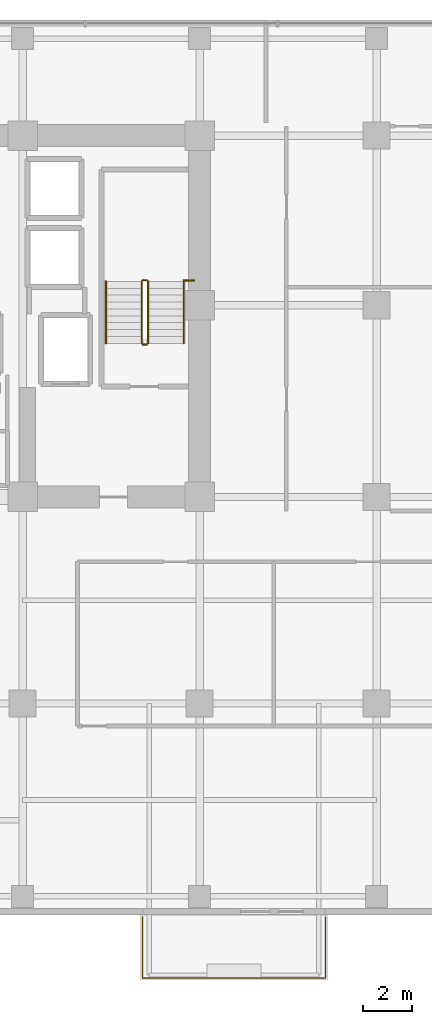
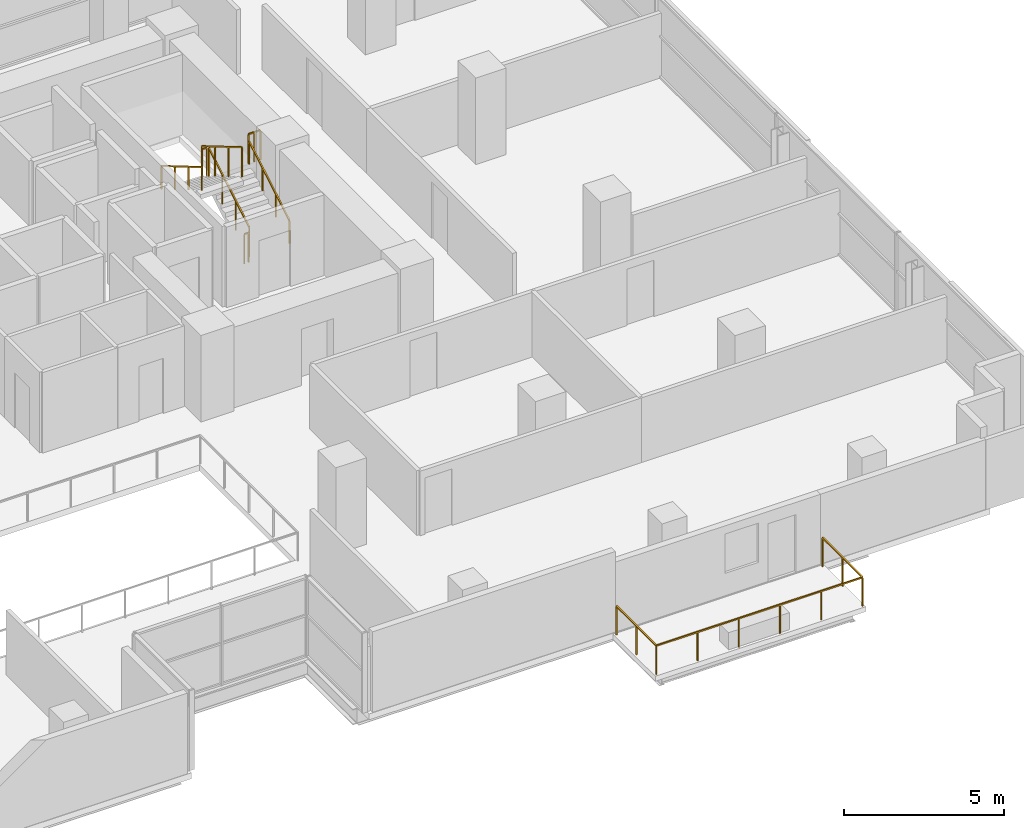
# One storey, part 29 of 30: 8 railings.
"""IFC4 building model written with IfcOpenShell, lengths in metres."""

from ifc_helpers import new_model, si_unit, direction, frame, origin, origin_2d, place, context, subcontext, project, spatial, rectangle, extrude, material, type_object, element, save


model = new_model("IFC4")

# Units and contexts
model_context = context("Model", 3, precision=1e-05, world=origin(), true_north=direction((0.0, 1.0)))
body_context = subcontext(model_context, "Body", "Model", "MODEL_VIEW")
ifc_project = project(units=[si_unit("LENGTHUNIT", "METRE"), si_unit("AREAUNIT", "SQUARE_METRE"), si_unit("VOLUMEUNIT", "CUBIC_METRE"), si_unit("PLANEANGLEUNIT", "RADIAN"), si_unit("MASSUNIT", "GRAM", prefix="KILO")], contexts=[model_context])

# Site, building, storey
site_placement = place(None, origin())
site = spatial("IfcSite", under=ifc_project, at=site_placement, CompositionType="ELEMENT")
building_placement = place(site_placement, origin())
building = spatial("IfcBuilding", under=site, at=building_placement, Name="Zarnakvel Exchange Tower", CompositionType="ELEMENT")
storey_placement = place(building_placement, frame((0.0, 0.0, 34.0)))
storey = spatial("IfcBuildingStorey", under=building, at=storey_placement, Name="L08", CompositionType="ELEMENT", Elevation=34.0)

# Railings
ifc_material_1 = material(Name="Architectural Bronze Anodised Aluminium", Category="aluminium")
railing_type_1 = type_object("IfcRailingType", Name="GR-02", PredefinedType="GUARDRAIL", material=ifc_material_1)
railing_1_placement = place(storey_placement, frame((12.080078125, -18.280029296875, -0.034912109375)))
element("IfcRailing", 1, at=railing_1_placement, inside=storey, type_object=railing_type_1, Name="L08 Balcony Guardrail BAL-L08-SE", PredefinedType="GUARDRAIL", context=body_context, shape_type="SweptSolid", body=[
    extrude(rectangle(XDim=0.048095703125, YDim=0.048095703125, at=origin_2d()), frame((0.0, 0.0, 1.09619140625), z_axis=(0.0, -1.0, 0.0), x_axis=(1.0, 0.0, 0.0)), (0.0, 0.0, 1.0), 2.489990234375),
    extrude(rectangle(XDim=0.048095703125, YDim=0.048095703125, at=origin_2d()), frame((0.0, -2.489990234375, 1.09619140625), z_axis=(1.0, 0.0, 0.0), x_axis=(0.0, 1.0, 0.0)), (0.0, 0.0, 1.0), 7.43994140625),
    extrude(rectangle(XDim=0.048095703125, YDim=0.048095703125, at=origin_2d()), frame((7.43994140625, -2.489990234375, 1.09619140625), z_axis=(0.0, 1.0, 0.0), x_axis=(-1.0, 0.0, 0.0)), (0.0, 0.0, 1.0), 2.489990234375),
    extrude(rectangle(XDim=0.0419921875, YDim=0.0419921875, at=origin_2d()), origin(), (0.0, 0.0, 1.0), 1.072021484375),
    extrude(rectangle(XDim=0.0419921875, YDim=0.0419921875, at=origin_2d()), frame((0.0, -1.2451171875, 0.0)), (0.0, 0.0, 1.0), 1.072021484375),
    extrude(rectangle(XDim=0.0419921875, YDim=0.0419921875, at=origin_2d()), frame((0.0, -2.489990234375, 0.0)), (0.0, 0.0, 1.0), 1.072021484375),
    extrude(rectangle(XDim=0.0419921875, YDim=0.0419921875, at=origin_2d()), frame((1.488037109375, -2.489990234375, 0.0)), (0.0, 0.0, 1.0), 1.072021484375),
    extrude(rectangle(XDim=0.0419921875, YDim=0.0419921875, at=origin_2d()), frame((2.97607421875, -2.489990234375, 0.0)), (0.0, 0.0, 1.0), 1.072021484375),
    extrude(rectangle(XDim=0.0419921875, YDim=0.0419921875, at=origin_2d()), frame((4.4638671875, -2.489990234375, 0.0)), (0.0, 0.0, 1.0), 1.072021484375),
    extrude(rectangle(XDim=0.0419921875, YDim=0.0419921875, at=origin_2d()), frame((5.951904296875, -2.489990234375, 0.0)), (0.0, 0.0, 1.0), 1.072021484375),
    extrude(rectangle(XDim=0.0419921875, YDim=0.0419921875, at=origin_2d()), frame((7.43994140625, -2.489990234375, 0.0)), (0.0, 0.0, 1.0), 1.072021484375),
    extrude(rectangle(XDim=0.0419921875, YDim=0.0419921875, at=origin_2d()), frame((7.43994140625, -1.2451171875, 0.0)), (0.0, 0.0, 1.0), 1.072021484375),
    extrude(rectangle(XDim=0.0419921875, YDim=0.0419921875, at=origin_2d()), frame((7.43994140625, 0.0, 0.0)), (0.0, 0.0, 1.0), 1.072021484375),
])
ifc_material_2 = material(Name="Brushed Stainless Steel", Category="steel")
railing_type_2 = type_object("IfcRailingType", Name="HR-01", PredefinedType="HANDRAIL", material=ifc_material_2)
railing_2_placement = place(storey_placement, frame((13.75, 5.050048828125, 0.1650390625)))
element("IfcRailing", 2, at=railing_2_placement, inside=storey, type_object=railing_type_2, Name="L08 ST-02 stair handrail 1", PredefinedType="HANDRAIL", context=body_context, shape_type="SweptSolid", body=[
    extrude(rectangle(XDim=0.048095703125, YDim=0.048095703125, at=origin_2d()), frame((0.0, 0.0, 0.8759765625), z_axis=(0.0, 0.861560626758, 0.507654692109), x_axis=(-1.0, 0.0, 0.0)), (0.0, 0.0, 1.0), 2.925048828125),
    extrude(rectangle(XDim=0.0419921875, YDim=0.0419921875, at=origin_2d()), origin(), (0.0, 0.0, 1.0), 0.851806640625),
    extrude(rectangle(XDim=0.0419921875, YDim=0.0419921875, at=origin_2d()), frame((0.0, 0.840087890625, 0.494873046875)), (0.0, 0.0, 1.0), 0.851806640625),
    extrude(rectangle(XDim=0.0419921875, YDim=0.0419921875, at=origin_2d()), frame((0.0, 1.679931640625, 0.989990234375)), (0.0, 0.0, 1.0), 0.851806640625),
    extrude(rectangle(XDim=0.0419921875, YDim=0.0419921875, at=origin_2d()), frame((0.0, 2.52001953125, 1.48486328125)), (0.0, 0.0, 1.0), 0.851806640625),
])
railing_3_placement = place(storey_placement, frame((10.590087890625, 7.570068359375, 1.81494140625)))
element("IfcRailing", 3, at=railing_3_placement, inside=storey, type_object=railing_type_2, Name="L08 ST-02 stair handrail 2", PredefinedType="HANDRAIL", context=body_context, shape_type="SweptSolid", body=[
    extrude(rectangle(XDim=0.048095703125, YDim=0.048095703125, at=origin_2d()), frame((0.0, 0.0, 0.8759765625), z_axis=(0.0, -0.86152411907, 0.507716645641), x_axis=(1.0, 0.0, 0.0)), (0.0, 0.0, 1.0), 2.925048828125),
    extrude(rectangle(XDim=0.0419921875, YDim=0.0419921875, at=origin_2d()), origin(), (0.0, 0.0, 1.0), 0.851806640625),
    extrude(rectangle(XDim=0.0419921875, YDim=0.0419921875, at=origin_2d()), frame((0.0, -0.840087890625, 0.4951171875)), (0.0, 0.0, 1.0), 0.851806640625),
    extrude(rectangle(XDim=0.0419921875, YDim=0.0419921875, at=origin_2d()), frame((0.0, -1.679931640625, 0.989990234375)), (0.0, 0.0, 1.0), 0.851806640625),
    extrude(rectangle(XDim=0.0419921875, YDim=0.0419921875, at=origin_2d()), frame((0.0, -2.52001953125, 1.485107421875)), (0.0, 0.0, 1.0), 0.851806640625),
])
railing_type_3 = type_object("IfcRailingType", Name="SG-01", PredefinedType="GUARDRAIL", material=ifc_material_1)
railing_4_placement = place(storey_placement, frame((12.300048828125, 5.050048828125, 0.1650390625)))
element("IfcRailing", 4, at=railing_4_placement, inside=storey, type_object=railing_type_3, Name="L08 ST-02 stair guard 1", PredefinedType="GUARDRAIL", context=body_context, shape_type="SweptSolid", body=[
    extrude(rectangle(XDim=0.048095703125, YDim=0.048095703125, at=origin_2d()), frame((0.0, 0.0, 1.1259765625), z_axis=(0.0, 0.861560626758, 0.507654692109), x_axis=(-1.0, 0.0, 0.0)), (0.0, 0.0, 1.0), 2.925048828125),
    extrude(rectangle(XDim=0.0419921875, YDim=0.0419921875, at=origin_2d()), origin(), (0.0, 0.0, 1.0), 1.101806640625),
    extrude(rectangle(XDim=0.0419921875, YDim=0.0419921875, at=origin_2d()), frame((0.0, 0.840087890625, 0.494873046875)), (0.0, 0.0, 1.0), 1.101806640625),
    extrude(rectangle(XDim=0.0419921875, YDim=0.0419921875, at=origin_2d()), frame((0.0, 1.679931640625, 0.989990234375)), (0.0, 0.0, 1.0), 1.101806640625),
    extrude(rectangle(XDim=0.0419921875, YDim=0.0419921875, at=origin_2d()), frame((0.0, 2.52001953125, 1.48486328125)), (0.0, 0.0, 1.0), 1.101806640625),
])
railing_5_placement = place(storey_placement, frame((12.25, 7.6201171875, 1.64990234375)))
element("IfcRailing", 5, at=railing_5_placement, inside=storey, type_object=railing_type_3, Name="L08 ST-02 stair guard 2", PredefinedType="GUARDRAIL", context=body_context, shape_type="SweptSolid", body=[
    extrude(rectangle(XDim=0.048095703125, YDim=0.048095703125, at=origin_2d()), frame((0.0, 0.0, 1.1259765625), z_axis=(-1.0, 0.0, 0.0), x_axis=(0.0, -1.0, 0.0)), (0.0, 0.0, 1.0), 0.159912109375),
    extrude(rectangle(XDim=0.0419921875, YDim=0.0419921875, at=origin_2d()), origin(), (0.0, 0.0, 1.0), 1.101806640625),
    extrude(rectangle(XDim=0.0419921875, YDim=0.0419921875, at=origin_2d()), frame((-0.159912109375, 0.0, 0.0)), (0.0, 0.0, 1.0), 1.101806640625),
])
railing_6_placement = place(storey_placement, frame((12.0400390625, 7.570068359375, 1.81494140625)))
element("IfcRailing", 6, at=railing_6_placement, inside=storey, type_object=railing_type_3, Name="L08 ST-02 stair guard 3", PredefinedType="GUARDRAIL", context=body_context, shape_type="SweptSolid", body=[
    extrude(rectangle(XDim=0.048095703125, YDim=0.048095703125, at=origin_2d()), frame((0.0, 0.0, 1.1259765625), z_axis=(0.0, -0.86152411907, 0.507716645641), x_axis=(1.0, 0.0, 0.0)), (0.0, 0.0, 1.0), 2.925048828125),
    extrude(rectangle(XDim=0.0419921875, YDim=0.0419921875, at=origin_2d()), origin(), (0.0, 0.0, 1.0), 1.101806640625),
    extrude(rectangle(XDim=0.0419921875, YDim=0.0419921875, at=origin_2d()), frame((0.0, -0.840087890625, 0.4951171875)), (0.0, 0.0, 1.0), 1.101806640625),
    extrude(rectangle(XDim=0.0419921875, YDim=0.0419921875, at=origin_2d()), frame((0.0, -1.679931640625, 0.989990234375)), (0.0, 0.0, 1.0), 1.101806640625),
    extrude(rectangle(XDim=0.0419921875, YDim=0.0419921875, at=origin_2d()), frame((0.0, -2.52001953125, 1.485107421875)), (0.0, 0.0, 1.0), 1.101806640625),
])
railing_7_placement = place(storey_placement, frame((12.25, 5.0, 0.0)))
element("IfcRailing", 7, at=railing_7_placement, inside=storey, type_object=railing_type_3, Name="L08 ST-02 stair guard 4", PredefinedType="GUARDRAIL", context=body_context, shape_type="SweptSolid", body=[
    extrude(rectangle(XDim=0.048095703125, YDim=0.048095703125, at=origin_2d()), frame((0.0, 0.0, 1.1259765625), z_axis=(-1.0, 0.0, 0.0), x_axis=(0.0, -1.0, 0.0)), (0.0, 0.0, 1.0), 0.159912109375),
    extrude(rectangle(XDim=0.0419921875, YDim=0.0419921875, at=origin_2d()), origin(), (0.0, 0.0, 1.0), 1.101806640625),
    extrude(rectangle(XDim=0.0419921875, YDim=0.0419921875, at=origin_2d()), frame((-0.159912109375, 0.0, 0.0)), (0.0, 0.0, 1.0), 1.101806640625),
])
railing_8_placement = place(storey_placement, frame((13.75, 7.610107421875, 1.64990234375)))
element("IfcRailing", 8, at=railing_8_placement, inside=storey, type_object=railing_type_3, Name="L08 ST-02 Landing Slot Guardrail", PredefinedType="GUARDRAIL", context=body_context, shape_type="SweptSolid", body=[
    extrude(rectangle(XDim=0.048095703125, YDim=0.048095703125, at=origin_2d()), frame((0.0, 0.0, 1.1259765625), z_axis=(1.0, 0.0, 0.0), x_axis=(0.0, 1.0, 0.0)), (0.0, 0.0, 1.0), 0.429931640625),
    extrude(rectangle(XDim=0.0419921875, YDim=0.0419921875, at=origin_2d()), origin(), (0.0, 0.0, 1.0), 1.101806640625),
    extrude(rectangle(XDim=0.0419921875, YDim=0.0419921875, at=origin_2d()), frame((0.21484375, 0.0, 0.0)), (0.0, 0.0, 1.0), 1.101806640625),
    extrude(rectangle(XDim=0.0419921875, YDim=0.0419921875, at=origin_2d()), frame((0.429931640625, 0.0, 0.0)), (0.0, 0.0, 1.0), 1.101806640625),
])

save(model, "model.ifc")
